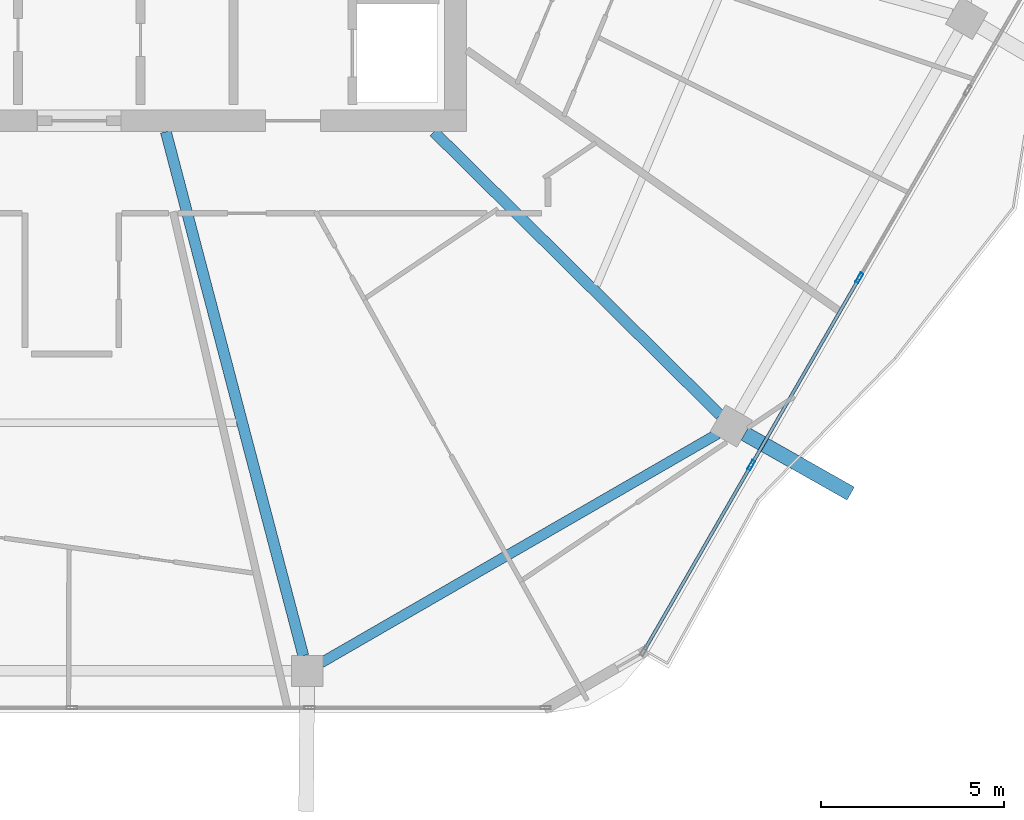
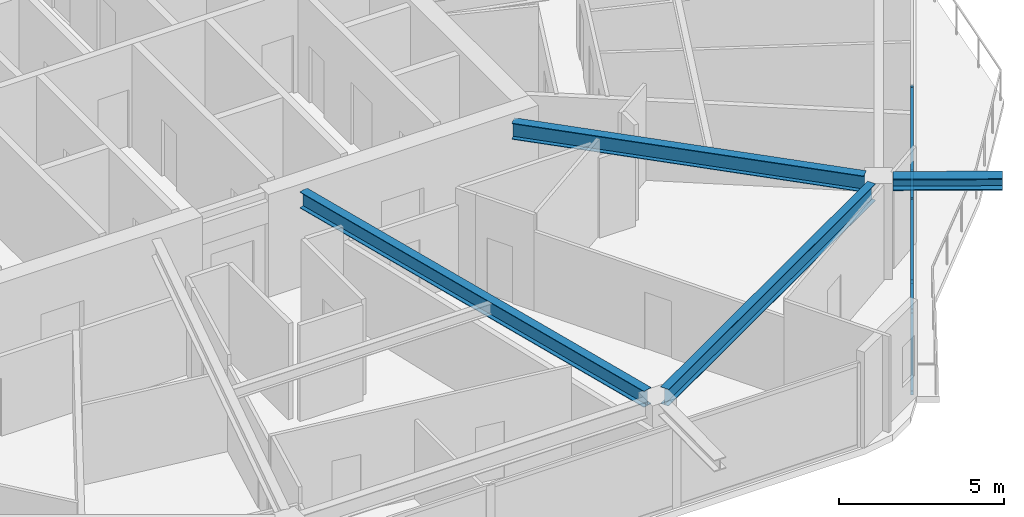
# One storey, part 8 of 26: 6 members, 4 beams, 1 element without a shape of its own.
"""IFC4 building model written with IfcOpenShell, lengths in metres."""

from ifc_helpers import new_model, si_unit, direction, frame, origin, origin_2d, place, context, subcontext, project, spatial, hollow_rectangle, i_section, extrude, material, material_profile, profile_set, type_object, element, aggregate, save


model = new_model("IFC4")

# Units and contexts
model_context = context("Model", 3, precision=1e-05, world=origin(), true_north=direction((0.0, 1.0)))
body_context = subcontext(model_context, "Body", "Model", "MODEL_VIEW")
ifc_project = project(units=[si_unit("LENGTHUNIT", "METRE"), si_unit("AREAUNIT", "SQUARE_METRE"), si_unit("VOLUMEUNIT", "CUBIC_METRE"), si_unit("PLANEANGLEUNIT", "RADIAN"), si_unit("MASSUNIT", "GRAM", prefix="KILO")], contexts=[model_context])

# Site, building, storey
site_placement = place(None, origin())
site = spatial("IfcSite", under=ifc_project, at=site_placement, CompositionType="ELEMENT")
building_placement = place(site_placement, origin())
building = spatial("IfcBuilding", under=site, at=building_placement, Name="Zuhravey Tower", CompositionType="ELEMENT")
storey_placement = place(building_placement, frame((0.0, 0.0, 280.60009765625)))
storey = spatial("IfcBuildingStorey", under=building, at=storey_placement, Name="L71", CompositionType="ELEMENT", Elevation=280.60009765625)

# Curtain wall, members
ifc_material_1 = material(Name="Thermally broken anodised aluminium", Category="aluminium")
curtain_wall_type = type_object("IfcCurtainWallType", Name="Zone 3-4 High-Rise Curtain Wall CW4", PredefinedType="NOTDEFINED", material=ifc_material_1)
curtain_wall_placement = place(storey_placement, origin())
curtain_wall = element("IfcCurtainWall", 1, at=curtain_wall_placement, inside=storey, type_object=curtain_wall_type, Name="L71 CW4 CW-L71-F6-1", PredefinedType="NOTDEFINED")
ifc_material_2 = material(Name="Anodised aluminium", Category="aluminium")
ifc_material_profile_1 = material_profile(ifc_material_2, hollow_rectangle(XDim=0.090087890625, YDim=0.284912109375, WallThickness=0.0048828125, at=origin_2d()), Name="ALU-RHS-90x285x5")
ifc_profile_set_1 = profile_set([ifc_material_profile_1], Name="Anodised aluminium")
member_type_1 = type_object("IfcMemberType", Name="Curtain-Wall Mullion 90x180", PredefinedType="MULLION", material=ifc_profile_set_1)
member_1_placement = place(storey_placement, frame((57.55126953125, 18.20068359375, 0.0), z_axis=(0.0, 0.0, 1.0), x_axis=(0.866024370591, -0.500001789539, 0.0)))
member_1 = element("IfcMember", 2, at=member_1_placement, type_object=member_type_1, Name="CW4 mullion 3", PredefinedType="MULLION", context=body_context, shape_type="SweptSolid", body=[
    extrude(hollow_rectangle(XDim=0.090087890625, YDim=0.284912109375, WallThickness=0.0048828125, at=origin_2d()), origin(), (0.0, 0.0, 1.0), 3.121826171875),
])
member_2_placement = place(storey_placement, frame((54.591796875, 13.07470703125, 0.0), z_axis=(0.0, 0.0, 1.0), x_axis=(0.866024370591, -0.500001789539, 0.0)))
member_2 = element("IfcMember", 3, at=member_2_placement, type_object=member_type_1, Name="CW4 mullion 4", PredefinedType="MULLION", context=body_context, shape_type="SweptSolid", body=[
    extrude(hollow_rectangle(XDim=0.090087890625, YDim=0.284912109375, WallThickness=0.0048828125, at=origin_2d()), origin(), (0.0, 0.0, 1.0), 3.121826171875),
])
ifc_material_profile_2 = material_profile(ifc_material_2, hollow_rectangle(XDim=0.090087890625, YDim=0.14990234375, WallThickness=0.0048828125, at=origin_2d()), Name="ALU-RHS-90x150x5")
ifc_profile_set_2 = profile_set([ifc_material_profile_2], Name="Anodised aluminium")
member_type_2 = type_object("IfcMemberType", Name="Curtain-Wall Transom 90x150", PredefinedType="USERDEFINED", material=ifc_profile_set_2)
member_3_placement = place(storey_placement, frame((57.52880859375, 18.16162109375, 0.044921875), z_axis=(-0.500022172694, -0.866012601995, 0.0), x_axis=(0.866012601995, -0.500022172694, 0.0)))
member_3 = element("IfcMember", 4, at=member_3_placement, type_object=member_type_2, Name="CW4 transom 3.1", ObjectType="TRANSOM", PredefinedType="USERDEFINED", context=body_context, shape_type="SweptSolid", body=[
    extrude(hollow_rectangle(XDim=0.090087890625, YDim=0.14990234375, WallThickness=0.0048828125, at=origin_2d()), origin(), (0.0, 0.0, 1.0), 5.828857421875),
])
member_4_placement = place(storey_placement, frame((57.52880859375, 18.16162109375, 3.076904296875), z_axis=(-0.500022172694, -0.866012601995, 0.0), x_axis=(0.866012601995, -0.500022172694, 0.0)))
member_4 = element("IfcMember", 5, at=member_4_placement, type_object=member_type_2, Name="CW4 transom 3.2", ObjectType="TRANSOM", PredefinedType="USERDEFINED", context=body_context, shape_type="SweptSolid", body=[
    extrude(hollow_rectangle(XDim=0.090087890625, YDim=0.14990234375, WallThickness=0.0048828125, at=origin_2d()), origin(), (0.0, 0.0, 1.0), 5.828857421875),
])
member_5_placement = place(storey_placement, frame((54.5693359375, 13.035888671875, 0.044921875), z_axis=(-0.499984314267, -0.866034459757, 0.0), x_axis=(0.866034459757, -0.499984314267, 0.0)))
member_5 = element("IfcMember", 6, at=member_5_placement, type_object=member_type_2, Name="CW4 transom 4.1", ObjectType="TRANSOM", PredefinedType="USERDEFINED", context=body_context, shape_type="SweptSolid", body=[
    extrude(hollow_rectangle(XDim=0.090087890625, YDim=0.14990234375, WallThickness=0.0048828125, at=origin_2d()), origin(), (0.0, 0.0, 1.0), 5.783935546875),
])
member_6_placement = place(storey_placement, frame((54.5693359375, 13.035888671875, 3.076904296875), z_axis=(-0.499984314267, -0.866034459757, 0.0), x_axis=(0.866034459757, -0.499984314267, 0.0)))
member_6 = element("IfcMember", 7, at=member_6_placement, type_object=member_type_2, Name="CW4 transom 4.2", ObjectType="TRANSOM", PredefinedType="USERDEFINED", context=body_context, shape_type="SweptSolid", body=[
    extrude(hollow_rectangle(XDim=0.090087890625, YDim=0.14990234375, WallThickness=0.0048828125, at=origin_2d()), origin(), (0.0, 0.0, 1.0), 5.783935546875),
])
aggregate(curtain_wall, [member_1, member_2, member_3, member_4, member_5, member_6])

# Beams
ifc_material_3 = material(Name="Steel SM460", Category="steel")
ifc_material_profile_3 = material_profile(ifc_material_3, i_section(OverallWidth=0.406982421875, OverallDepth=0.427978515625, WebThickness=0.02001953125, FlangeThickness=0.034912109375, at=origin_2d()), Name="H-428x407x20x35")
ifc_profile_set_3 = profile_set([ifc_material_profile_3], Name="Steel SM460")
beam_type_1 = type_object("IfcBeamType", Name="Exoskeleton Node Tie Beam H428x407", PredefinedType="BEAM", material=ifc_profile_set_3)
beam_1_placement = place(storey_placement, frame((54.4169921875, 13.93408203125, 3.3359375), z_axis=(0.870385064001, -0.492371648619, 0.0), x_axis=(0.492371648619, 0.870385064001, 0.0)))
element("IfcBeam", 8, at=beam_1_placement, inside=storey, type_object=beam_type_1, Name="L71 Exoskeleton Node Tie NT1-11", PredefinedType="BEAM", context=body_context, shape_type="SweptSolid", body=[
    extrude(i_section(OverallWidth=0.406982421875, OverallDepth=0.427978515625, WebThickness=0.02001953125, FlangeThickness=0.034912109375, at=origin_2d()), origin(), (0.0, 0.0, 1.0), 3.326171875),
])
ifc_material_4 = material(Name="Steel SM355", Category="steel")
ifc_material_profile_4 = material_profile(ifc_material_4, i_section(OverallWidth=0.280029296875, OverallDepth=0.6201171875, WebThickness=0.011962890625, FlangeThickness=0.02001953125, at=origin_2d()), Name="H-620x280x12x20")
ifc_profile_set_4 = profile_set([ifc_material_profile_4], Name="Steel SM355")
beam_type_2 = type_object("IfcBeamType", Name="Perimeter Ring Beam H620x280", PredefinedType="BEAM", material=ifc_profile_set_4)
beam_2_placement = place(storey_placement, frame((42.8115234375, 7.660400390625, 3.239990234375), z_axis=(0.866018312875, 0.500012281615, 0.0), x_axis=(-0.500012281615, 0.866018312875, 0.0)))
element("IfcBeam", 9, at=beam_2_placement, inside=storey, type_object=beam_type_2, Name="L71 PB3 BM-L71-PB-10", PredefinedType="BEAM", context=body_context, shape_type="SweptSolid", body=[
    extrude(i_section(OverallWidth=0.280029296875, OverallDepth=0.6201171875, WebThickness=0.011962890625, FlangeThickness=0.02001953125, at=origin_2d()), origin(), (0.0, 0.0, 1.0), 12.541748046875),
])
ifc_material_profile_5 = material_profile(ifc_material_4, i_section(OverallWidth=0.300048828125, OverallDepth=0.60009765625, WebThickness=0.011962890625, FlangeThickness=0.02001953125, at=origin_2d()), Name="H-600x300x12x20")
ifc_profile_set_5 = profile_set([ifc_material_profile_5], Name="Steel SM355")
beam_type_3 = type_object("IfcBeamType", Name="Radial Primary Girder H600x300", PredefinedType="BEAM", material=ifc_profile_set_5)
beam_3_placement = place(storey_placement, frame((38.571533203125, 22.197021484375, 3.25), z_axis=(0.25373188956, -0.967274587809, 0.0), x_axis=(0.967274587809, 0.25373188956, 0.0)))
element("IfcBeam", 10, at=beam_3_placement, inside=storey, type_object=beam_type_3, Name="L71 RG3 BM-L71-RAD-10", PredefinedType="BEAM", context=body_context, shape_type="SweptSolid", body=[
    extrude(i_section(OverallWidth=0.300048828125, OverallDepth=0.60009765625, WebThickness=0.011962890625, FlangeThickness=0.02001953125, at=origin_2d()), origin(), (0.0, 0.0, 1.0), 14.82177734375),
])
beam_4_placement = place(storey_placement, frame((45.90673828125, 22.197021484375, 3.25), z_axis=(0.710808169267, -0.70338591577, 0.0), x_axis=(0.70338591577, 0.710808169267, 0.0)))
element("IfcBeam", 11, at=beam_4_placement, inside=storey, type_object=beam_type_3, Name="L71 RG3 BM-L71-RAD-11", PredefinedType="BEAM", context=body_context, shape_type="SweptSolid", body=[
    extrude(i_section(OverallWidth=0.300048828125, OverallDepth=0.60009765625, WebThickness=0.011962890625, FlangeThickness=0.02001953125, at=origin_2d()), origin(), (0.0, 0.0, 1.0), 11.019287109375),
])

save(model, "model.ifc")
